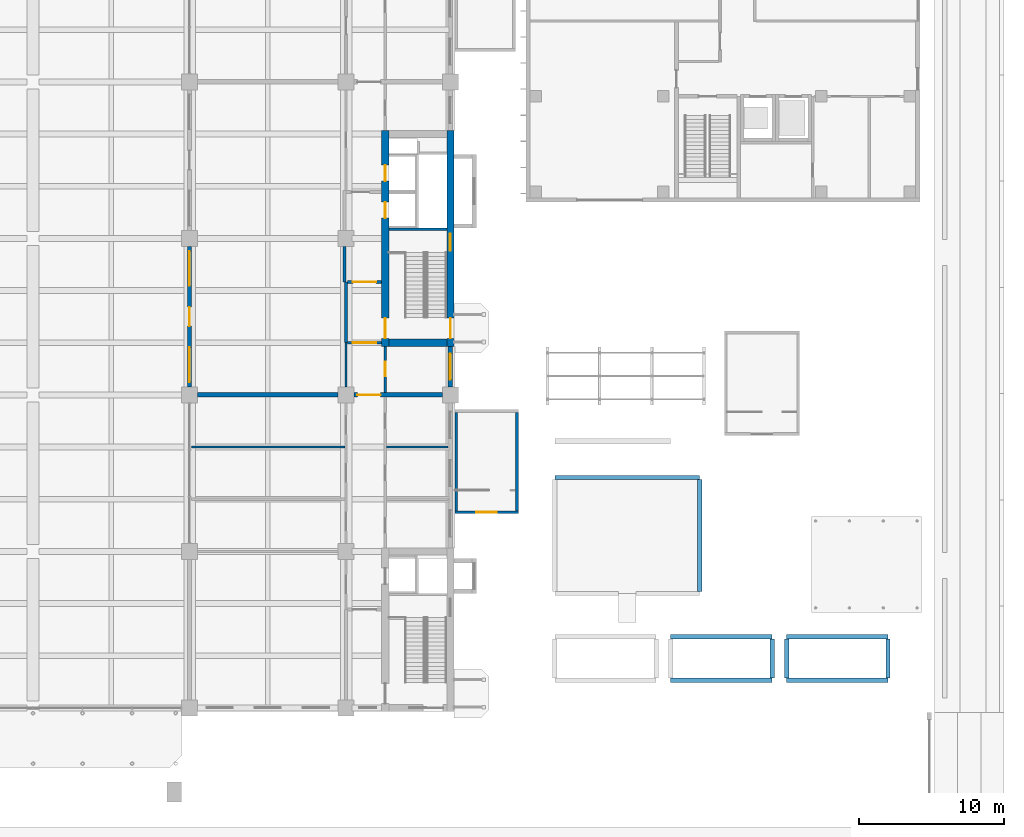
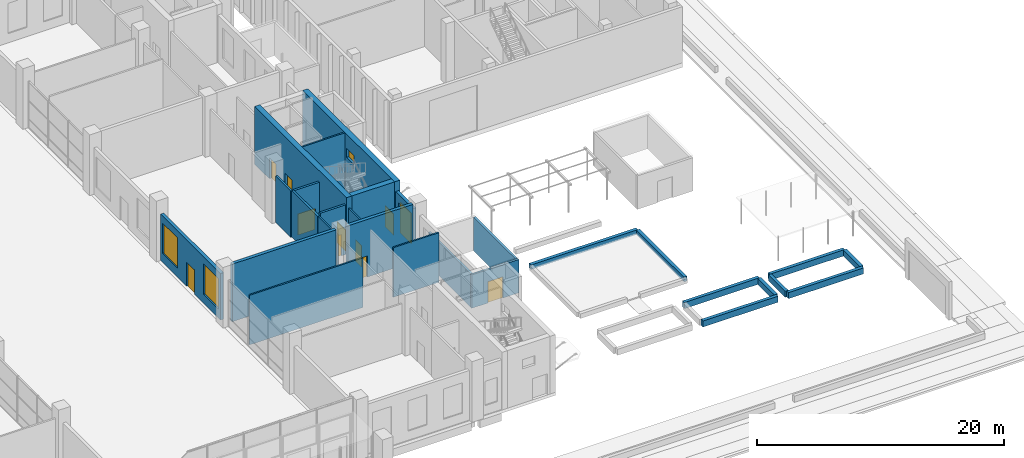
# One storey, part 52 of 71: 28 walls, 10 doors, 4 windows, 14 openings.
"""IFC4 building model written with IfcOpenShell, lengths in metres."""

import ifcopenshell
import ifcopenshell.guid

model = None  # the IFC model being written
_history = None  # IfcOwnerHistory: only IFC2X3 demands one
_inside = {}  # id of a spatial element -> (the spatial element, [elements in it])
_under = {}  # id of a project, library or spatial element -> (it, [spatial elements below it])
_declared = {}  # id of a project -> (the project, [libraries it declares])
_typed = {}  # id of a type object -> (the type object, [elements of that type])
_made_of = {}  # id of a material, layer set ... -> (it, [elements and type objects made of it])


def new_model(schema):
    """Start an empty IFC model of exactly this schema.

    Asked for "IFC4X3", IfcOpenShell would pick the latest addendum, in which some entities
    have other attributes; the version numbers below select the first issue.
    IFC2X3 requires an IfcOwnerHistory on every rooted entity: one is made here for all.
    """
    global model, _history
    if schema == "IFC4X3":
        model = ifcopenshell.file(schema_version=(4, 3, 0, 0))
    else:
        model = ifcopenshell.file(schema=schema)
    _inside.clear()
    _under.clear()
    _declared.clear()
    _typed.clear()
    _made_of.clear()
    _history = None
    if model.schema == "IFC2X3":
        org = make("IfcOrganization", Name="unknown")
        user = make(
            "IfcPersonAndOrganization",
            ThePerson=make("IfcPerson", FamilyName="unknown"),
            TheOrganization=org,
        )
        app = make(
            "IfcApplication",
            ApplicationDeveloper=org,
            Version="unknown",
            ApplicationFullName="unknown",
            ApplicationIdentifier="unknown",
        )
        _history = make(
            "IfcOwnerHistory",
            OwningUser=user,
            OwningApplication=app,
            ChangeAction="ADDED",
            CreationDate=0,
        )
    return model


def make(cls, **values):
    """One entity of the class cls with the attributes given. An attribute that is None is left unset."""
    return model.create_entity(
        cls, **{name: value for name, value in values.items() if value is not None}
    )


def rooted(cls, **values):
    """An entity with a GlobalId (a new one), such as an element, a storey or a relation."""
    return make(cls, GlobalId=ifcopenshell.guid.new(), OwnerHistory=_history, **values)


def si_unit(unit_type, name, prefix=None):
    """IfcSIUnit, for example si_unit("LENGTHUNIT", "METRE", prefix="MILLI")."""
    return make("IfcSIUnit", UnitType=unit_type, Prefix=prefix, Name=name)


def assignment(units):
    """IfcUnitAssignment: the units of a project."""
    return None if units is None else make("IfcUnitAssignment", Units=units)


def point(xyz):
    """IfcCartesianPoint."""
    return None if xyz is None else make("IfcCartesianPoint", Coordinates=xyz)


def direction(xyz):
    """IfcDirection."""
    return None if xyz is None else make("IfcDirection", DirectionRatios=xyz)


def frame(location, z_axis=None, x_axis=None):
    """IfcAxis2Placement3D, a coordinate frame: its origin and axes. An axis left out is left unset."""
    return make(
        "IfcAxis2Placement3D",
        Location=point(location),
        Axis=direction(z_axis),
        RefDirection=direction(x_axis),
    )


def frame_2d(location, x_axis=None):
    """IfcAxis2Placement2D, a coordinate frame in the plane: its origin and x axis."""
    return make(
        "IfcAxis2Placement2D", Location=point(location), RefDirection=direction(x_axis)
    )


def origin():
    """The frame at (0, 0, 0) with its axes left unset."""
    return frame((0.0, 0.0, 0.0))


def place(relative_to, where):
    """IfcLocalPlacement: puts the frame where relative to a parent placement (None: the world)."""
    return make(
        "IfcLocalPlacement", PlacementRelTo=relative_to, RelativePlacement=where
    )


def context(
    kind, dimensions, precision=None, world=None, true_north=None, identifier=None
):
    """IfcGeometricRepresentationContext, for example the 3D "Model" context."""
    return make(
        "IfcGeometricRepresentationContext",
        ContextIdentifier=identifier,
        ContextType=kind,
        CoordinateSpaceDimension=dimensions,
        Precision=precision,
        WorldCoordinateSystem=world,
        TrueNorth=true_north,
    )


def subcontext(parent, identifier, kind, view, scale=None):
    """IfcGeometricRepresentationSubContext, for example "Body" below "Model"."""
    return make(
        "IfcGeometricRepresentationSubContext",
        ContextIdentifier=identifier,
        ContextType=kind,
        ParentContext=parent,
        TargetScale=scale,
        TargetView=view,
    )


def project(units=None, contexts=None):
    """IfcProject with its units and contexts."""
    return rooted(
        "IfcProject",
        Name="project",
        RepresentationContexts=contexts,
        UnitsInContext=assignment(units),
    )


def spatial(cls, under=None, at=None, **own):
    """A site, building, storey or space (cls), placed at a placement, below another one or the project."""
    s = rooted(cls, ObjectPlacement=at, **own)
    if under is not None:
        _under.setdefault(under.id(), (under, []))[1].append(s)
    return s


def profile(cls, at=None, kind="AREA", **sizes):
    """A parametric profile (cls). Its sizes go by their IFC names, for example OverallWidth=200.0."""
    return make(cls, ProfileType=kind, Position=at, **sizes)


def rectangle(**sizes):
    """IfcRectangleProfileDef."""
    return profile("IfcRectangleProfileDef", **sizes)


def extrude(swept, where, along, depth):
    """IfcExtrudedAreaSolid: the profile swept, set in the frame where, extruded along a direction by depth."""
    return make(
        "IfcExtrudedAreaSolid",
        SweptArea=swept,
        Position=where,
        ExtrudedDirection=direction(along),
        Depth=depth,
    )


def shape(context_of_items, identifier, shape_type, items):
    """IfcShapeRepresentation: the items that make up one representation, for example the "Body"."""
    return make(
        "IfcShapeRepresentation",
        ContextOfItems=context_of_items,
        RepresentationIdentifier=identifier,
        RepresentationType=shape_type,
        Items=items,
    )


def material(Name=None, Category=None):
    """IfcMaterial."""
    return make("IfcMaterial", Name=Name, Category=Category)


def layer(
    of_material, thickness, ventilated=None, Name=None, Category=None, Priority=None
):
    """IfcMaterialLayer: one layer of a wall or slab, of a material (None: an air gap)."""
    return make(
        "IfcMaterialLayer",
        Material=of_material,
        LayerThickness=thickness,
        IsVentilated=ventilated,
        Name=Name,
        Category=Category,
        Priority=Priority,
    )


def layer_set(layers, Name=None):
    """IfcMaterialLayerSet."""
    return make("IfcMaterialLayerSet", MaterialLayers=layers, LayerSetName=Name)


def made_of(thing, what):
    """Note that an element or type object is made of a material, layer set ...; save() writes the relation."""
    if what is not None:
        _made_of.setdefault(what.id(), (what, []))[1].append(thing)
    return thing


def type_object(cls, material=None, **own):
    """A type object (cls), such as IfcWallType, which elements share."""
    return made_of(rooted(cls, **own), material)


def element(
    cls,
    number,
    at=None,
    inside=None,
    cuts=None,
    type_object=None,
    material=None,
    context=None,
    identifier="Body",
    shape_type=None,
    held_by="IfcProductDefinitionShape",
    body=None,
    shapes=None,
    **own,
):
    """One element of the class cls, such as IfcWall. Its Tag is "e" and its number.

    at: its placement. inside: the storey or other place that contains it. cuts: it is an
    opening in that element (IfcRelVoidsElement). A single representation is given by context,
    identifier, shape_type and body (its items); several are given by shapes. held_by: the class
    of the entity that holds the representations. save() writes the other relations.
    """
    e = rooted(cls, Tag="e%d" % number, ObjectPlacement=at, **own)
    if body is not None:
        shapes = [shape(context, identifier, shape_type, body)]
    if shapes is not None:
        e.Representation = make(held_by, Representations=shapes)
    if inside is not None:
        _inside.setdefault(inside.id(), (inside, []))[1].append(e)
    if cuts is not None:
        rooted(
            "IfcRelVoidsElement", RelatingBuildingElement=cuts, RelatedOpeningElement=e
        )
    if type_object is not None:
        _typed.setdefault(type_object.id(), (type_object, []))[1].append(e)
    return made_of(e, material)


def fill(opening, filler):
    """IfcRelFillsElement: the door or window that sits in an opening."""
    return rooted(
        "IfcRelFillsElement",
        RelatingOpeningElement=opening,
        RelatedBuildingElement=filler,
    )


def aggregate(whole, parts):
    """IfcRelAggregates: a whole, such as a stair, and the parts it consists of."""
    return rooted("IfcRelAggregates", RelatingObject=whole, RelatedObjects=parts)


def save(model, path):
    """Write the relations noted so far, then the file.

    IfcRelAggregates (storeys below a building ...), IfcRelContainedInSpatialStructure (elements
    in a storey), IfcRelDefinesByType, IfcRelAssociatesMaterial and IfcRelDeclares: one each for
    every whole, place, type object, material and project.
    """
    for whole, parts in _under.values():
        aggregate(whole, parts)
    for where, things in _inside.values():
        rooted(
            "IfcRelContainedInSpatialStructure",
            RelatedElements=things,
            RelatingStructure=where,
        )
    for kind, things in _typed.values():
        rooted("IfcRelDefinesByType", RelatedObjects=things, RelatingType=kind)
    for what, things in _made_of.values():
        rooted("IfcRelAssociatesMaterial", RelatedObjects=things, RelatingMaterial=what)
    for by, libraries in _declared.values():
        rooted("IfcRelDeclares", RelatingContext=by, RelatedDefinitions=libraries)
    model.write(path)


model = new_model("IFC4")

# Units and contexts
model_context = context("Model", 3, precision=1e-05, world=origin(), true_north=direction((0.0, 1.0)))
body_context = subcontext(model_context, "Body", "Model", "MODEL_VIEW")
ifc_project = project(units=[si_unit("LENGTHUNIT", "METRE"), si_unit("AREAUNIT", "SQUARE_METRE"), si_unit("VOLUMEUNIT", "CUBIC_METRE"), si_unit("PLANEANGLEUNIT", "RADIAN"), si_unit("MASSUNIT", "GRAM", prefix="KILO")], contexts=[model_context])

# Site, building, storey
site_placement = place(None, origin())
site = spatial("IfcSite", under=ifc_project, at=site_placement, CompositionType="ELEMENT")
building_placement = place(site_placement, origin())
building = spatial("IfcBuilding", under=site, at=building_placement, Name="Basin Gate Institute", CompositionType="ELEMENT")
storey_placement = place(building_placement, origin())
storey = spatial("IfcBuildingStorey", under=building, at=storey_placement, Name="L00", CompositionType="ELEMENT", Elevation=0.0)

# Wall, openings, door, windows
ifc_material_1 = material(Name="Fire-resisting board wall assembly")
ifc_layer_1 = layer(ifc_material_1, 0.300048828125)
ifc_layer_set_1 = layer_set([ifc_layer_1], Name="Atrium enclosure wall EW4")
wall_type_1 = type_object("IfcWallType", Name="Atrium enclosure wall EW4", PredefinedType="STANDARD", material=ifc_layer_set_1)
wall_1_placement = place(storey_placement, frame((100.800048828125, 57.25, 0.0), z_axis=(0.0, 0.0, 1.0), x_axis=(0.0, 1.0, 0.0)))
wall_1 = element("IfcWall", 1, at=wall_1_placement, inside=storey, type_object=wall_type_1, material=ifc_layer_set_1, Name="Atrium enclosure wall E wing bay 3 L00", PredefinedType="STANDARD", context=body_context, shape_type="SweptSolid", body=[
    extrude(rectangle(XDim=9.699951171875, YDim=0.300048828125, at=frame_2d((4.85009765625, 0.0))), origin(), (0.0, 0.0, 1.0), 4.60009765625),
])
opening_1_placement = place(wall_1_placement, frame((0.324951171875, 0.0, 0.89990234375)))
opening_1 = element("IfcOpeningElement", 2, at=opening_1_placement, cuts=wall_1, Name="Opening WN5", PredefinedType="OPENING", context=body_context, shape_type="SweptSolid", body=[
    extrude(rectangle(XDim=2.39990234375, YDim=3.0, at=frame_2d((1.199951171875, 1.5))), frame((0.0, 0.16015625, 0.0), z_axis=(0.0, -1.0, 0.0), x_axis=(1.0, 0.0, 0.0)), (0.0, 0.0, 1.0), 0.320068359375),
])
opening_2_placement = place(wall_1_placement, frame((6.97509765625, 0.0, 0.89990234375)))
opening_2 = element("IfcOpeningElement", 3, at=opening_2_placement, cuts=wall_1, Name="Opening WN5", PredefinedType="OPENING", context=body_context, shape_type="SweptSolid", body=[
    extrude(rectangle(XDim=2.39990234375, YDim=3.0, at=frame_2d((1.199951171875, 1.5))), frame((0.0, 0.16015625, 0.0), z_axis=(0.0, -1.0, 0.0), x_axis=(1.0, 0.0, 0.0)), (0.0, 0.0, 1.0), 0.320068359375),
])
opening_3_placement = place(wall_1_placement, frame((4.199951171875, 0.0, 0.0)))
opening_3 = element("IfcOpeningElement", 4, at=opening_3_placement, cuts=wall_1, Name="Opening ED103", PredefinedType="OPENING", context=body_context, shape_type="SweptSolid", body=[
    extrude(rectangle(XDim=1.300048828125, YDim=2.39990234375, at=frame_2d((0.64990234375, 1.199951171875))), frame((0.0, 0.16015625, 0.0), z_axis=(0.0, -1.0, 0.0), x_axis=(1.0, 0.0, 0.0)), (0.0, 0.0, 1.0), 0.320068359375),
])
ifc_material_2 = material(Name="Fire-resisting glazed door in aluminium frame", Category="aluminium")
door_type_1 = type_object("IfcDoorType", Name="Atrium fire door FD60A", OperationType="NOTDEFINED", PredefinedType="DOOR", material=ifc_material_2)
door_1_placement = place(opening_3_placement, frame((1.300048828125, 0.0, 0.0), z_axis=(0.0, 0.0, 1.0), x_axis=(-1.0, 0.0, 0.0)))
door_1 = element("IfcDoor", 5, at=door_1_placement, inside=storey, type_object=door_type_1, material=ifc_material_2, Name="Atrium fire door E wing bay 3", OperationType="SINGLE_SWING_RIGHT", OverallHeight=2.39990234375, OverallWidth=1.300048828125, PredefinedType="DOOR", context=body_context, shape_type="SweptSolid", body=[
    extrude(rectangle(XDim=1.300048828125, YDim=2.39990234375, at=frame_2d((0.64990234375, 1.199951171875))), frame((0.0, 0.02490234375, 0.0), z_axis=(0.0, -1.0, 0.0), x_axis=(1.0, 0.0, 0.0)), (0.0, 0.0, 1.0), 0.050048828125),
])
fill(opening_3, door_1)
ifc_material_3 = material(Name="Fire-resistant glazing in steel-free frame", Category="steel")
window_type_1 = type_object("IfcWindowType", Name="Fire-rated fixed window WN5", PartitioningType="SINGLE_PANEL", PredefinedType="WINDOW", material=ifc_material_3)
window_1_placement = place(opening_1_placement, origin())
window_1 = element("IfcWindow", 6, at=window_1_placement, inside=storey, type_object=window_type_1, material=ifc_material_3, Name="Fire-rated fixed window E wing bay 3 L00", OverallHeight=3.0, OverallWidth=2.39990234375, PartitioningType="SINGLE_PANEL", PredefinedType="WINDOW", context=body_context, shape_type="SweptSolid", body=[
    extrude(rectangle(XDim=2.39990234375, YDim=3.0, at=frame_2d((1.199951171875, 1.5))), frame((0.0, 0.030029296875, 0.0), z_axis=(0.0, -1.0, 0.0), x_axis=(1.0, 0.0, 0.0)), (0.0, 0.0, 1.0), 0.06005859375),
])
fill(opening_1, window_1)
window_2_placement = place(opening_2_placement, origin())
window_2 = element("IfcWindow", 7, at=window_2_placement, inside=storey, type_object=window_type_1, material=ifc_material_3, Name="Fire-rated fixed window E wing bay 3 L00", OverallHeight=3.0, OverallWidth=2.39990234375, PartitioningType="SINGLE_PANEL", PredefinedType="WINDOW", context=body_context, shape_type="SweptSolid", body=[
    extrude(rectangle(XDim=2.39990234375, YDim=3.0, at=frame_2d((1.199951171875, 1.5))), frame((0.0, 0.030029296875, 0.0), z_axis=(0.0, -1.0, 0.0), x_axis=(1.0, 0.0, 0.0)), (0.0, 0.0, 1.0), 0.06005859375),
])
fill(opening_2, window_2)

# Wall, opening, door
ifc_material_4 = material(Name="Fire-rated masonry", Category="masonry")
ifc_layer_2 = layer(ifc_material_4, 0.199951171875)
ifc_layer_set_2 = layer_set([ifc_layer_2], Name="Enclosure wall PW2 200 EI 60")
wall_type_2 = type_object("IfcWallType", Name="Enclosure wall PW2 200 EI 60", PredefinedType="PARTITIONING", material=ifc_layer_set_2)
wall_2_placement = place(storey_placement, frame((114.050048828125, 60.300048828125, 0.0), z_axis=(0.0, 0.0, 1.0), x_axis=(-1.0, 0.0, 0.0)))
wall_2 = element("IfcWall", 8, at=wall_2_placement, inside=storey, type_object=wall_type_2, material=ifc_layer_set_2, Name="Smoke lobby enclosure wall PW2 L00", PredefinedType="PARTITIONING", context=body_context, shape_type="SweptSolid", body=[
    extrude(rectangle(XDim=2.35009765625, YDim=0.199951171875, at=frame_2d((1.175048828125, 0.0))), origin(), (0.0, 0.0, 1.0), 4.89990234375),
])
opening_4_placement = place(wall_2_placement, frame((0.375, 0.0, 0.0)))
opening_4 = element("IfcOpeningElement", 9, at=opening_4_placement, cuts=wall_2, Name="Opening DR017", PredefinedType="OPENING", context=body_context, shape_type="SweptSolid", body=[
    extrude(rectangle(XDim=1.60009765625, YDim=2.10009765625, at=frame_2d((0.800048828125, 1.050048828125))), frame((0.0, 0.10986328125, 0.0), z_axis=(0.0, -1.0, 0.0), x_axis=(1.0, 0.0, 0.0)), (0.0, 0.0, 1.0), 0.219970703125),
])
ifc_material_5 = material(Name="Steel fire door", Category="steel")
door_type_2 = type_object("IfcDoorType", Name="FD60 Smoke lobby door pair D8", OperationType="DOUBLE_DOOR_SINGLE_SWING", PredefinedType="DOOR", material=ifc_material_5)
door_2_placement = place(opening_4_placement, frame((1.60009765625, 0.0, 0.0), z_axis=(0.0, 0.0, 1.0), x_axis=(-1.0, 0.0, 0.0)))
door_2 = element("IfcDoor", 10, at=door_2_placement, inside=storey, type_object=door_type_2, material=ifc_material_5, Name="Smoke lobby door SS5 L00", OperationType="DOUBLE_DOOR_SINGLE_SWING", OverallHeight=2.10009765625, OverallWidth=1.60009765625, PredefinedType="DOOR", context=body_context, shape_type="SweptSolid", body=[
    extrude(rectangle(XDim=1.60009765625, YDim=2.10009765625, at=frame_2d((0.800048828125, 1.050048828125))), frame((0.0, 0.02490234375, 0.0), z_axis=(0.0, -1.0, 0.0), x_axis=(1.0, 0.0, 0.0)), (0.0, 0.0, 1.0), 0.050048828125),
])
fill(opening_4, door_2)

wall_3_placement = place(storey_placement, frame((114.050048828125, 64.5, 0.0), z_axis=(0.0, 0.0, 1.0), x_axis=(-1.0, 0.0, 0.0)))
wall_3 = element("IfcWall", 11, at=wall_3_placement, inside=storey, type_object=wall_type_2, material=ifc_layer_set_2, Name="Smoke lobby enclosure wall PW2 L00", PredefinedType="PARTITIONING", context=body_context, shape_type="SweptSolid", body=[
    extrude(rectangle(XDim=2.35009765625, YDim=0.199951171875, at=frame_2d((1.175048828125, 0.0))), origin(), (0.0, 0.0, 1.0), 4.60009765625),
])
opening_5_placement = place(wall_3_placement, frame((0.375, 0.0, 0.0)))
opening_5 = element("IfcOpeningElement", 12, at=opening_5_placement, cuts=wall_3, Name="Opening DR018", PredefinedType="OPENING", context=body_context, shape_type="SweptSolid", body=[
    extrude(rectangle(XDim=1.60009765625, YDim=2.10009765625, at=frame_2d((0.800048828125, 1.050048828125))), frame((0.0, 0.10986328125, 0.0), z_axis=(0.0, -1.0, 0.0), x_axis=(1.0, 0.0, 0.0)), (0.0, 0.0, 1.0), 0.219970703125),
])
door_3_placement = place(opening_5_placement, origin())
door_3 = element("IfcDoor", 13, at=door_3_placement, inside=storey, type_object=door_type_2, material=ifc_material_5, Name="Smoke lobby door SS5 L00", OperationType="DOUBLE_DOOR_SINGLE_SWING", OverallHeight=2.10009765625, OverallWidth=1.60009765625, PredefinedType="DOOR", context=body_context, shape_type="SweptSolid", body=[
    extrude(rectangle(XDim=1.60009765625, YDim=2.10009765625, at=frame_2d((0.800048828125, 1.050048828125))), frame((0.0, 0.02490234375, 0.0), z_axis=(0.0, -1.0, 0.0), x_axis=(1.0, 0.0, 0.0)), (0.0, 0.0, 1.0), 0.050048828125),
])
fill(opening_5, door_3)

# Walls
wall_4_placement = place(storey_placement, frame((111.60009765625, 60.300048828125, 0.0), z_axis=(0.0, 0.0, 1.0), x_axis=(0.0, 1.0, 0.0)))
element("IfcWall", 14, at=wall_4_placement, inside=storey, type_object=wall_type_2, material=ifc_layer_set_2, Name="Smoke lobby enclosure wall PW2 L00", PredefinedType="PARTITIONING", context=body_context, shape_type="SweptSolid", body=[
    extrude(rectangle(XDim=4.199951171875, YDim=0.199951171875, at=frame_2d((2.10009765625, 0.0))), origin(), (0.0, 0.0, 1.0), 4.60009765625),
])
wall_5_placement = place(storey_placement, frame((111.5, 64.5, 0.0), z_axis=(0.0, 0.0, 1.0), x_axis=(0.0, 1.0, 0.0)))
element("IfcWall", 15, at=wall_5_placement, inside=storey, type_object=wall_type_2, material=ifc_layer_set_2, Name="Emergency lift lobby wall PW2 L00", PredefinedType="PARTITIONING", context=body_context, shape_type="SweptSolid", body=[
    extrude(rectangle(XDim=2.449951171875, YDim=0.199951171875, at=frame_2d((1.22509765625, 0.0))), origin(), (0.0, 0.0, 1.0), 4.60009765625),
])

# Wall, opening, window
ifc_material_6 = material(Name="Aluminium-faced insulated panel wall", Category="aluminium")
ifc_layer_3 = layer(ifc_material_6, 0.300048828125)
ifc_layer_set_3 = layer_set([ifc_layer_3], Name="External wall EW1 EI 120")
wall_type_3 = type_object("IfcWallType", Name="External wall EW1 EI 120", PredefinedType="STANDARD", material=ifc_layer_set_3)
wall_6_placement = place(storey_placement, frame((118.800048828125, 57.25, 0.0), z_axis=(0.0, 0.0, 1.0), x_axis=(0.0, 1.0, 0.0)))
wall_6 = element("IfcWall", 16, at=wall_6_placement, inside=storey, type_object=wall_type_3, material=ifc_layer_set_3, Name="External wall E facade L00 2", PredefinedType="STANDARD", context=body_context, shape_type="SweptSolid", body=[
    extrude(rectangle(XDim=2.800048828125, YDim=0.300048828125, at=frame_2d((1.39990234375, 0.0))), origin(), (0.0, 0.0, 1.0), 4.699951171875),
])
opening_6_placement = place(wall_6_placement, frame((0.5, 0.0, 0.89990234375)))
opening_6 = element("IfcOpeningElement", 17, at=opening_6_placement, cuts=wall_6, Name="Opening WN2", PredefinedType="OPENING", context=body_context, shape_type="SweptSolid", body=[
    extrude(rectangle(XDim=1.800048828125, YDim=3.0, at=frame_2d((0.89990234375, 1.5))), frame((0.0, 0.16015625, 0.0), z_axis=(0.0, -1.0, 0.0), x_axis=(1.0, 0.0, 0.0)), (0.0, 0.0, 1.0), 0.320068359375),
])
ifc_material_7 = material(Name="Aluminium-framed double glazing", Category="aluminium")
window_type_2 = type_object("IfcWindowType", Name="Podium window WN2", PartitioningType="SINGLE_PANEL", PredefinedType="WINDOW", material=ifc_material_7)
window_3_placement = place(opening_6_placement, origin())
window_3 = element("IfcWindow", 18, at=window_3_placement, inside=storey, type_object=window_type_2, material=ifc_material_7, Name="Podium window E facade L00 bay 7", OverallHeight=3.0, OverallWidth=1.800048828125, PartitioningType="SINGLE_PANEL", PredefinedType="WINDOW", context=body_context, shape_type="SweptSolid", body=[
    extrude(rectangle(XDim=1.800048828125, YDim=3.0, at=frame_2d((0.89990234375, 1.5))), frame((0.0, 0.030029296875, 0.0), z_axis=(0.0, -1.0, 0.0), x_axis=(1.0, 0.0, 0.0)), (0.0, 0.0, 1.0), 0.06005859375),
])
fill(opening_6, window_3)

# Wall, opening, door
ifc_material_8 = material(Name="Gypsum board on steel stud", Category="steel")
ifc_layer_4 = layer(ifc_material_8, 0.14990234375)
ifc_layer_set_4 = layer_set([ifc_layer_4], Name="Gypsum board on steel stud")
wall_type_4 = type_object("IfcWallType", Name="Partition PW1 150 EI 60", PredefinedType="PARTITIONING", material=ifc_layer_set_4)
wall_7_placement = place(storey_placement, frame((114.300048828125, 56.85009765625, 0.0), z_axis=(0.0, 0.0, 1.0), x_axis=(0.0, 1.0, 0.0)))
wall_7 = element("IfcWall", 19, at=wall_7_placement, inside=storey, type_object=wall_type_4, material=ifc_layer_set_4, Name="Corridor wall PW1 L00", PredefinedType="PARTITIONING", context=body_context, shape_type="SweptSolid", body=[
    extrude(rectangle(XDim=3.199951171875, YDim=0.14990234375, at=frame_2d((1.60009765625, 0.0))), origin(), (0.0, 0.0, 1.0), 4.60009765625),
])
opening_7_placement = place(wall_7_placement, frame((1.14990234375, 0.0, 0.0)))
opening_7 = element("IfcOpeningElement", 20, at=opening_7_placement, cuts=wall_7, Name="Opening DR014", PredefinedType="OPENING", context=body_context, shape_type="SweptSolid", body=[
    extrude(rectangle(XDim=1.0, YDim=2.10009765625, at=frame_2d((0.5, 1.050048828125))), frame((0.0, 0.0849609375, 0.0), z_axis=(0.0, -1.0, 0.0), x_axis=(1.0, 0.0, 0.0)), (0.0, 0.0, 1.0), 0.169921875),
])
ifc_material_9 = material(Name="Timber fire door", Category="wood")
door_type_3 = type_object("IfcDoorType", Name="FD30 Office door D1", OperationType="NOTDEFINED", PredefinedType="DOOR", material=ifc_material_9)
door_4_placement = place(opening_7_placement, frame((1.0, 0.0, 0.0), z_axis=(0.0, 0.0, 1.0), x_axis=(-1.0, 0.0, 0.0)))
door_4 = element("IfcDoor", 21, at=door_4_placement, inside=storey, type_object=door_type_3, material=ifc_material_9, Name="Door to Write-up Office 0054 L00", OperationType="SINGLE_SWING_LEFT", OverallHeight=2.10009765625, OverallWidth=1.0, PredefinedType="DOOR", context=body_context, shape_type="SweptSolid", body=[
    extrude(rectangle(XDim=1.0, YDim=2.10009765625, at=frame_2d((0.5, 1.050048828125))), frame((0.0, 0.02490234375, 0.0), z_axis=(0.0, -1.0, 0.0), x_axis=(1.0, 0.0, 0.0)), (0.0, 0.0, 1.0), 0.050048828125),
])
fill(opening_7, door_4)

# Walls
wall_8_placement = place(storey_placement, frame((111.60009765625, 57.25, 0.0), z_axis=(0.0, 0.0, 1.0), x_axis=(0.0, 1.0, 0.0)))
element("IfcWall", 22, at=wall_8_placement, inside=storey, type_object=wall_type_4, material=ifc_layer_set_4, Name="Laboratory corridor wall PW1 L00", PredefinedType="PARTITIONING", context=body_context, shape_type="SweptSolid", body=[
    extrude(rectangle(XDim=3.050048828125, YDim=0.14990234375, at=frame_2d((1.52490234375, 0.0))), origin(), (0.0, 0.0, 1.0), 4.60009765625),
])
wall_9_placement = place(storey_placement, frame((111.52490234375, 53.10009765625, 0.0), z_axis=(0.0, 0.0, 1.0), x_axis=(-1.0, 0.0, 0.0)))
element("IfcWall", 23, at=wall_9_placement, inside=storey, type_object=wall_type_4, material=ifc_layer_set_4, Name="Laboratory partition PW1 L00", PredefinedType="PARTITIONING", context=body_context, shape_type="SweptSolid", body=[
    extrude(rectangle(XDim=10.574951171875, YDim=0.14990234375, at=frame_2d((5.28759765625, 0.0))), origin(), (0.0, 0.0, 1.0), 4.89990234375),
])
ifc_material_10 = material(Name="Gypsum board on steel stud", Category="steel")
ifc_layer_5 = layer(ifc_material_10, 0.14990234375)
ifc_layer_set_5 = layer_set([ifc_layer_5], Name="Gypsum board on steel stud")
wall_type_5 = type_object("IfcWallType", Name="Partition PW4 150", PredefinedType="PARTITIONING", material=ifc_layer_set_5)
wall_10_placement = place(storey_placement, frame((118.64990234375, 53.10009765625, 0.0), z_axis=(0.0, 0.0, 1.0), x_axis=(-1.0, 0.0, 0.0)))
element("IfcWall", 24, at=wall_10_placement, inside=storey, type_object=wall_type_5, material=ifc_layer_set_5, Name="Toilet partition PW4 L00", PredefinedType="PARTITIONING", context=body_context, shape_type="SweptSolid", body=[
    extrude(rectangle(XDim=4.27490234375, YDim=0.14990234375, at=frame_2d((2.137451171875, 0.0))), origin(), (0.0, 0.0, 1.0), 4.89990234375),
])
ifc_material_11 = material(Name="Concrete 35 MPa", Category="concrete")
ifc_layer_6 = layer(ifc_material_11, 0.300048828125)
ifc_layer_set_6 = layer_set([ifc_layer_6], Name="Concrete 35 MPa")
wall_type_6 = type_object("IfcWallType", Name="Planter bed wall PL3", PredefinedType="SOLIDWALL", material=ifc_layer_set_6)
for number, where, z_axis, x_axis, name in (
    (25, (134.0, 37.0, 0.0), (0.0, 0.0, 1.0), (1.0, 0.0, 0.0), "Service Court planter bed 2 wall (soil 550 mm) S"),
    (26, (134.0, 40.0, 0.0), (0.0, 0.0, 1.0), (1.0, 0.0, 0.0), "Service Court planter bed 2 wall (soil 550 mm) N"),
):
    element("IfcWall", number, at=place(storey_placement, frame(where, z_axis=z_axis, x_axis=x_axis)), inside=storey, type_object=wall_type_6, material=ifc_layer_set_6, Name=name, PredefinedType="SOLIDWALL", context=body_context, shape_type="SweptSolid", body=[
        extrude(rectangle(XDim=7.0, YDim=0.300048828125, at=frame_2d((3.5, 0.0))), origin(), (0.0, 0.0, 1.0), 0.60009765625),
    ])
wall_11_placement = place(storey_placement, frame((141.0, 37.14990234375, 0.0), z_axis=(0.0, 0.0, 1.0), x_axis=(0.0, 1.0, 0.0)))
element("IfcWall", 27, at=wall_11_placement, inside=storey, type_object=wall_type_6, material=ifc_layer_set_6, Name="Service Court planter bed 2 wall (soil 550 mm) E", PredefinedType="SOLIDWALL", context=body_context, shape_type="SweptSolid", body=[
    extrude(rectangle(XDim=2.7001953125, YDim=0.300048828125, at=frame_2d((1.35009765625, 0.0))), origin(), (0.0, 0.0, 1.0), 0.60009765625),
])
for number, where, z_axis, x_axis, name in (
    (28, (142.0, 37.0, 0.0), (0.0, 0.0, 1.0), (1.0, 0.0, 0.0), "Service Court planter bed 3 wall (soil 550 mm) S"),
    (29, (142.0, 40.0, 0.0), (0.0, 0.0, 1.0), (1.0, 0.0, 0.0), "Service Court planter bed 3 wall (soil 550 mm) N"),
):
    element("IfcWall", number, at=place(storey_placement, frame(where, z_axis=z_axis, x_axis=x_axis)), inside=storey, type_object=wall_type_6, material=ifc_layer_set_6, Name=name, PredefinedType="SOLIDWALL", context=body_context, shape_type="SweptSolid", body=[
        extrude(rectangle(XDim=7.0, YDim=0.300048828125, at=frame_2d((3.5, 0.0))), origin(), (0.0, 0.0, 1.0), 0.60009765625),
    ])
for number, where, z_axis, x_axis, name in (
    (30, (142.0, 37.14990234375, 0.0), (0.0, 0.0, 1.0), (0.0, 1.0, 0.0), "Service Court planter bed 3 wall (soil 550 mm) W"),
    (31, (149.0, 37.14990234375, 0.0), (0.0, 0.0, 1.0), (0.0, 1.0, 0.0), "Service Court planter bed 3 wall (soil 550 mm) E"),
):
    element("IfcWall", number, at=place(storey_placement, frame(where, z_axis=z_axis, x_axis=x_axis)), inside=storey, type_object=wall_type_6, material=ifc_layer_set_6, Name=name, PredefinedType="SOLIDWALL", context=body_context, shape_type="SweptSolid", body=[
        extrude(rectangle(XDim=2.7001953125, YDim=0.300048828125, at=frame_2d((1.35009765625, 0.0))), origin(), (0.0, 0.0, 1.0), 0.60009765625),
    ])
ifc_material_12 = material(Name="Concrete 35 MPa", Category="concrete")
ifc_layer_7 = layer(ifc_material_12, 0.300048828125)
ifc_layer_set_7 = layer_set([ifc_layer_7], Name="Concrete 35 MPa")
wall_type_7 = type_object("IfcWallType", Name="Rain garden wall RG1", PredefinedType="SOLIDWALL", material=ifc_layer_set_7)
wall_12_placement = place(storey_placement, frame((126.0, 51.0, 0.0), z_axis=(0.0, 0.0, 1.0), x_axis=(1.0, 0.0, 0.0)))
element("IfcWall", 32, at=wall_12_placement, inside=storey, type_object=wall_type_7, material=ifc_layer_set_7, Name="Service Court rain garden 1 wall N", PredefinedType="SOLIDWALL", context=body_context, shape_type="SweptSolid", body=[
    extrude(rectangle(XDim=10.0, YDim=0.300048828125, at=frame_2d((5.0, 0.0))), origin(), (0.0, 0.0, 1.0), 0.449951171875),
])
wall_13_placement = place(storey_placement, frame((136.0, 43.14990234375, 0.0), z_axis=(0.0, 0.0, 1.0), x_axis=(0.0, 1.0, 0.0)))
element("IfcWall", 33, at=wall_13_placement, inside=storey, type_object=wall_type_7, material=ifc_layer_set_7, Name="Service Court rain garden 1 wall E", PredefinedType="SOLIDWALL", context=body_context, shape_type="SweptSolid", body=[
    extrude(rectangle(XDim=7.7001953125, YDim=0.300048828125, at=frame_2d((3.85009765625, 0.0))), origin(), (0.0, 0.0, 1.0), 0.449951171875),
])

# Wall, opening, door
ifc_material_13 = material(Name="Concrete 35 MPa", Category="concrete")
ifc_layer_8 = layer(ifc_material_13, 0.199951171875)
ifc_layer_set_8 = layer_set([ifc_layer_8], Name="Concrete 35 MPa")
wall_type_8 = type_object("IfcWallType", Name="Stair head house wall 200", PredefinedType="SOLIDWALL", material=ifc_layer_set_8)
wall_14_placement = place(storey_placement, frame((119.10009765625, 48.60009765625, 0.0), z_axis=(0.0, 0.0, 1.0), x_axis=(1.0, 0.0, 0.0)))
wall_14 = element("IfcWall", 34, at=wall_14_placement, inside=storey, type_object=wall_type_8, material=ifc_layer_set_8, Name="Stair head house BS3 wall", PredefinedType="SOLIDWALL", context=body_context, shape_type="SweptSolid", body=[
    extrude(rectangle(XDim=4.39990234375, YDim=0.199951171875, at=frame_2d((2.199951171875, 0.0))), origin(), (0.0, 0.0, 1.0), 3.300048828125),
])
opening_8_placement = place(wall_14_placement, frame((1.5, 0.0, 0.0)))
opening_8 = element("IfcOpeningElement", 35, at=opening_8_placement, cuts=wall_14, Name="Opening DB903", PredefinedType="OPENING", context=body_context, shape_type="SweptSolid", body=[
    extrude(rectangle(XDim=1.39990234375, YDim=2.10009765625, at=frame_2d((0.699951171875, 1.050048828125))), frame((0.0, 0.10986328125, 0.0), z_axis=(0.0, -1.0, 0.0), x_axis=(1.0, 0.0, 0.0)), (0.0, 0.0, 1.0), 0.219970703125),
])
ifc_material_14 = material(Name="Steel door set", Category="steel")
door_type_4 = type_object("IfcDoorType", Name="Final exit door 1400x2100", OperationType="DOUBLE_DOOR_SINGLE_SWING", PredefinedType="DOOR", material=ifc_material_14)
door_5_placement = place(opening_8_placement, frame((1.39990234375, 0.0, 0.0), z_axis=(0.0, 0.0, 1.0), x_axis=(-1.0, 0.0, 0.0)))
door_5 = element("IfcDoor", 36, at=door_5_placement, inside=storey, type_object=door_type_4, material=ifc_material_14, Name="Final exit BS3", OperationType="DOUBLE_DOOR_SINGLE_SWING", OverallHeight=2.10009765625, OverallWidth=1.39990234375, PredefinedType="DOOR", context=body_context, shape_type="SweptSolid", body=[
    extrude(rectangle(XDim=1.39990234375, YDim=2.10009765625, at=frame_2d((0.699951171875, 1.050048828125))), frame((0.0, 0.02490234375, 0.0), z_axis=(0.0, -1.0, 0.0), x_axis=(1.0, 0.0, 0.0)), (0.0, 0.0, 1.0), 0.050048828125),
])
fill(opening_8, door_5)

# Walls
for number, where, z_axis, x_axis, name in (
    (37, (119.199951171875, 48.699951171875, 0.0), (0.0, 0.0, 1.0), (0.0, 1.0, 0.0), "Stair head house BS3 wall"),
    (38, (123.39990234375, 48.699951171875, 0.0), (0.0, 0.0, 1.0), (0.0, 1.0, 0.0), "Stair head house BS3 wall"),
):
    element("IfcWall", number, at=place(storey_placement, frame(where, z_axis=z_axis, x_axis=x_axis)), inside=storey, type_object=wall_type_8, material=ifc_layer_set_8, Name=name, PredefinedType="SOLIDWALL", context=body_context, shape_type="SweptSolid", body=[
        extrude(rectangle(XDim=6.800048828125, YDim=0.199951171875, at=frame_2d((3.39990234375, 0.0))), origin(), (0.0, 0.0, 1.0), 3.300048828125),
    ])
ifc_material_15 = material(Name="Concrete 40 MPa", Category="concrete")
ifc_layer_9 = layer(ifc_material_15, 0.14990234375)
ifc_layer_set_9 = layer_set([ifc_layer_9], Name="Concrete 40 MPa")
wall_type_9 = type_object("IfcWallType", Name="Wall SE1 stair enclosure R180", PredefinedType="SOLIDWALL", material=ifc_layer_set_9)
wall_15_placement = place(storey_placement, frame((118.550048828125, 68.125, 0.0), z_axis=(0.0, 0.0, 1.0), x_axis=(-1.0, 0.0, 0.0)))
element("IfcWall", 39, at=wall_15_placement, inside=storey, type_object=wall_type_9, material=ifc_layer_set_9, Name="Stair enclosure wall ST-EM L00", PredefinedType="SOLIDWALL", context=body_context, shape_type="SweptSolid", body=[
    extrude(rectangle(XDim=4.0, YDim=0.14990234375, at=frame_2d((2.0, 0.0))), origin(), (0.0, 0.0, 1.0), 5.699951171875),
])

# Wall, openings, door, window
ifc_material_16 = material(Name="Concrete 60 MPa", Category="concrete")
ifc_layer_10 = layer(ifc_material_16, 0.5)
ifc_layer_set_10 = layer_set([ifc_layer_10], Name="Concrete 60 MPa")
wall_type_10 = type_object("IfcWallType", Name="Wall SW1 R180", PredefinedType="SHEAR", material=ifc_layer_set_10)
wall_16_placement = place(storey_placement, frame((118.800048828125, 60.050048828125, 0.0), z_axis=(0.0, 0.0, 1.0), x_axis=(0.0, 1.0, 0.0)))
wall_16 = element("IfcWall", 40, at=wall_16_placement, inside=storey, type_object=wall_type_10, material=ifc_layer_set_10, Name="WALL/L00/EM/L", PredefinedType="SHEAR", context=body_context, shape_type="SweptSolid", body=[
    extrude(rectangle(XDim=14.89990234375, YDim=0.5, at=frame_2d((7.449951171875, 0.0))), origin(), (0.0, 0.0, 1.0), 5.699951171875),
])
opening_9_placement = place(wall_16_placement, frame((0.550048828125, 0.0, 0.0)))
opening_9 = element("IfcOpeningElement", 41, at=opening_9_placement, cuts=wall_16, Name="Opening DX05", PredefinedType="OPENING", context=body_context, shape_type="SweptSolid", body=[
    extrude(rectangle(XDim=1.39990234375, YDim=2.10009765625, at=frame_2d((0.699951171875, 1.050048828125))), frame((0.0, 0.260009765625, 0.0), z_axis=(0.0, -1.0, 0.0), x_axis=(1.0, 0.0, 0.0)), (0.0, 0.0, 1.0), 0.52001953125),
])
opening_10_placement = place(wall_16_placement, frame((6.580078125, 0.0, 3.39990234375)))
opening_10 = element("IfcOpeningElement", 42, at=opening_10_placement, cuts=wall_16, Name="Opening WT1", PredefinedType="OPENING", context=body_context, shape_type="SweptSolid", body=[
    extrude(rectangle(XDim=1.199951171875, YDim=0.89990234375, at=frame_2d((0.60009765625, 0.449951171875))), frame((0.0, 0.260009765625, 0.0), z_axis=(0.0, -1.0, 0.0), x_axis=(1.0, 0.0, 0.0)), (0.0, 0.0, 1.0), 0.52001953125),
])
ifc_material_17 = material(Name="Steel fire door", Category="steel")
door_type_5 = type_object("IfcDoorType", Name="FD60 Final exit door DX", OperationType="DOUBLE_DOOR_SINGLE_SWING", PredefinedType="DOOR", material=ifc_material_17)
door_6_placement = place(opening_9_placement, frame((1.39990234375, 0.0, 0.0), z_axis=(0.0, 0.0, 1.0), x_axis=(-1.0, 0.0, 0.0)))
door_6 = element("IfcDoor", 43, at=door_6_placement, inside=storey, type_object=door_type_5, material=ifc_material_17, Name="Final exit ST-EM to the plaza", OperationType="DOUBLE_DOOR_SINGLE_SWING", OverallHeight=2.10009765625, OverallWidth=1.39990234375, PredefinedType="DOOR", context=body_context, shape_type="SweptSolid", body=[
    extrude(rectangle(XDim=1.39990234375, YDim=2.10009765625, at=frame_2d((0.699951171875, 1.050048828125))), frame((0.0, 0.02490234375, 0.0), z_axis=(0.0, -1.0, 0.0), x_axis=(1.0, 0.0, 0.0)), (0.0, 0.0, 1.0), 0.050048828125),
])
fill(opening_9, door_6)
ifc_material_18 = material(Name="Fire-resistant glazing in steel-free frame", Category="steel")
window_type_3 = type_object("IfcWindowType", Name="Rated stair window EI 180 WT1", PartitioningType="SINGLE_PANEL", PredefinedType="WINDOW", material=ifc_material_18)
window_4_placement = place(opening_10_placement, origin())
window_4 = element("IfcWindow", 44, at=window_4_placement, inside=storey, type_object=window_type_3, material=ifc_material_18, Name="Rated stair window EI 180 EM landing L00", OverallHeight=0.89990234375, OverallWidth=1.199951171875, PartitioningType="SINGLE_PANEL", PredefinedType="WINDOW", context=body_context, shape_type="SweptSolid", body=[
    extrude(rectangle(XDim=1.199951171875, YDim=0.89990234375, at=frame_2d((0.60009765625, 0.449951171875))), frame((0.0, 0.030029296875, 0.0), z_axis=(0.0, -1.0, 0.0), x_axis=(1.0, 0.0, 0.0)), (0.0, 0.0, 1.0), 0.06005859375),
])
fill(opening_10, window_4)

# Wall, openings, doors
wall_17_placement = place(storey_placement, frame((114.300048828125, 60.050048828125, 0.0), z_axis=(0.0, 0.0, 1.0), x_axis=(0.0, 1.0, 0.0)))
wall_17 = element("IfcWall", 45, at=wall_17_placement, inside=storey, type_object=wall_type_10, material=ifc_layer_set_10, Name="WALL/L00/EM/C", PredefinedType="SHEAR", context=body_context, shape_type="SweptSolid", body=[
    extrude(rectangle(XDim=14.89990234375, YDim=0.5, at=frame_2d((7.449951171875, 0.0))), origin(), (0.0, 0.0, 1.0), 5.699951171875),
])
opening_11_placement = place(wall_17_placement, frame((0.550048828125, 0.0, 0.0)))
opening_11 = element("IfcOpeningElement", 46, at=opening_11_placement, cuts=wall_17, Name="Opening DS005", PredefinedType="OPENING", context=body_context, shape_type="SweptSolid", body=[
    extrude(rectangle(XDim=1.39990234375, YDim=2.10009765625, at=frame_2d((0.699951171875, 1.050048828125))), frame((0.0, 0.260009765625, 0.0), z_axis=(0.0, -1.0, 0.0), x_axis=(1.0, 0.0, 0.0)), (0.0, 0.0, 1.0), 0.52001953125),
])
opening_12_placement = place(wall_17_placement, frame((8.85009765625, 0.0, 0.0)))
opening_12 = element("IfcOpeningElement", 47, at=opening_12_placement, cuts=wall_17, Name="Opening LD083", PredefinedType="OPENING", context=body_context, shape_type="SweptSolid", body=[
    extrude(rectangle(XDim=1.10009765625, YDim=2.10009765625, at=frame_2d((0.550048828125, 1.050048828125))), frame((0.0, 0.260009765625, 0.0), z_axis=(0.0, -1.0, 0.0), x_axis=(1.0, 0.0, 0.0)), (0.0, 0.0, 1.0), 0.52001953125),
])
opening_13_placement = place(wall_17_placement, frame((11.39990234375, 0.0, 0.0)))
opening_13 = element("IfcOpeningElement", 48, at=opening_13_placement, cuts=wall_17, Name="Opening LD095", PredefinedType="OPENING", context=body_context, shape_type="SweptSolid", body=[
    extrude(rectangle(XDim=1.10009765625, YDim=2.10009765625, at=frame_2d((0.550048828125, 1.050048828125))), frame((0.0, 0.260009765625, 0.0), z_axis=(0.0, -1.0, 0.0), x_axis=(1.0, 0.0, 0.0)), (0.0, 0.0, 1.0), 0.52001953125),
])
ifc_material_19 = material(Name="Steel fire door", Category="steel")
door_type_6 = type_object("IfcDoorType", Name="FD60 Exit-level stair enclosure door DSX", OperationType="DOUBLE_DOOR_SINGLE_SWING", PredefinedType="DOOR", material=ifc_material_19)
door_7_placement = place(opening_11_placement, frame((1.39990234375, 0.0, 0.0), z_axis=(0.0, 0.0, 1.0), x_axis=(-1.0, 0.0, 0.0)))
door_7 = element("IfcDoor", 49, at=door_7_placement, inside=storey, type_object=door_type_6, material=ifc_material_19, Name="Stair enclosure door ST-EM L00", OperationType="DOUBLE_DOOR_SINGLE_SWING", OverallHeight=2.10009765625, OverallWidth=1.39990234375, PredefinedType="DOOR", context=body_context, shape_type="SweptSolid", body=[
    extrude(rectangle(XDim=1.39990234375, YDim=2.10009765625, at=frame_2d((0.699951171875, 1.050048828125))), frame((0.0, 0.02490234375, 0.0), z_axis=(0.0, -1.0, 0.0), x_axis=(1.0, 0.0, 0.0)), (0.0, 0.0, 1.0), 0.050048828125),
])
fill(opening_11, door_7)
ifc_material_20 = material(Name="Stainless steel", Category="steel")
door_type_7 = type_object("IfcDoorType", Name="FD60 Lift landing door LD", OperationType="SLIDING_TO_LEFT", PredefinedType="DOOR", material=ifc_material_20)
door_8_placement = place(opening_12_placement, origin())
door_8 = element("IfcDoor", 50, at=door_8_placement, inside=storey, type_object=door_type_7, material=ifc_material_20, Name="Lift landing door LF2 L00", OperationType="SLIDING_TO_LEFT", OverallHeight=2.10009765625, OverallWidth=1.10009765625, PredefinedType="DOOR", context=body_context, shape_type="SweptSolid", body=[
    extrude(rectangle(XDim=1.10009765625, YDim=2.10009765625, at=frame_2d((0.550048828125, 1.050048828125))), frame((0.0, 0.02490234375, 0.0), z_axis=(0.0, -1.0, 0.0), x_axis=(1.0, 0.0, 0.0)), (0.0, 0.0, 1.0), 0.050048828125),
])
fill(opening_12, door_8)
door_9_placement = place(opening_13_placement, origin())
door_9 = element("IfcDoor", 51, at=door_9_placement, inside=storey, type_object=door_type_7, material=ifc_material_20, Name="Lift landing door LP5 L00", OperationType="SLIDING_TO_LEFT", OverallHeight=2.10009765625, OverallWidth=1.10009765625, PredefinedType="DOOR", context=body_context, shape_type="SweptSolid", body=[
    extrude(rectangle(XDim=1.10009765625, YDim=2.10009765625, at=frame_2d((0.550048828125, 1.050048828125))), frame((0.0, 0.02490234375, 0.0), z_axis=(0.0, -1.0, 0.0), x_axis=(1.0, 0.0, 0.0)), (0.0, 0.0, 1.0), 0.050048828125),
])
fill(opening_13, door_9)

# Wall
wall_18_placement = place(storey_placement, frame((118.550048828125, 60.300048828125, 0.0), z_axis=(0.0, 0.0, 1.0), x_axis=(-1.0, 0.0, 0.0)))
element("IfcWall", 52, at=wall_18_placement, inside=storey, type_object=wall_type_10, material=ifc_layer_set_10, Name="WALL/L00/EM/S", PredefinedType="SHEAR", context=body_context, shape_type="SweptSolid", body=[
    extrude(rectangle(XDim=4.0, YDim=0.5, at=frame_2d((2.0, 0.0))), origin(), (0.0, 0.0, 1.0), 5.699951171875),
])

# Wall, opening, door
ifc_material_21 = material(Name="Concrete 50 MPa", Category="concrete")
ifc_layer_11 = layer(ifc_material_21, 0.300048828125)
ifc_layer_set_11 = layer_set([ifc_layer_11], Name="Concrete 50 MPa")
wall_type_11 = type_object("IfcWallType", Name="Wall XW1 R180", PredefinedType="SHEAR", material=ifc_layer_set_11)
wall_19_placement = place(storey_placement, frame((118.25, 56.699951171875, 0.0), z_axis=(0.0, 0.0, 1.0), x_axis=(-1.0, 0.0, 0.0)))
wall_19 = element("IfcWall", 53, at=wall_19_placement, inside=storey, type_object=wall_type_11, material=ifc_layer_set_11, Name="WALL/L00/EXC/1", PredefinedType="SHEAR", context=body_context, shape_type="SweptSolid", body=[
    extrude(rectangle(XDim=6.10009765625, YDim=0.300048828125, at=frame_2d((3.050048828125, 0.0))), origin(), (0.0, 0.0, 1.0), 5.699951171875),
])
opening_14_placement = place(wall_19_placement, frame((4.262451171875, 0.0, 0.0)))
opening_14 = element("IfcOpeningElement", 54, at=opening_14_placement, cuts=wall_19, Name="Opening DR020", PredefinedType="OPENING", context=body_context, shape_type="SweptSolid", body=[
    extrude(rectangle(XDim=1.60009765625, YDim=2.10009765625, at=frame_2d((0.800048828125, 1.050048828125))), frame((0.0, 0.16015625, 0.0), z_axis=(0.0, -1.0, 0.0), x_axis=(1.0, 0.0, 0.0)), (0.0, 0.0, 1.0), 0.320068359375),
])
ifc_material_22 = material(Name="Steel fire door", Category="steel")
door_type_8 = type_object("IfcDoorType", Name="FD60 Compartment door pair D7", OperationType="DOUBLE_DOOR_SINGLE_SWING", PredefinedType="DOOR", material=ifc_material_22)
door_10_placement = place(opening_14_placement, frame((1.60009765625, 0.0, 0.0), z_axis=(0.0, 0.0, 1.0), x_axis=(-1.0, 0.0, 0.0)))
door_10 = element("IfcDoor", 55, at=door_10_placement, inside=storey, type_object=door_type_8, material=ifc_material_22, Name="Compartment door pair L00 E1 L00", OperationType="DOUBLE_DOOR_SINGLE_SWING", OverallHeight=2.10009765625, OverallWidth=1.60009765625, PredefinedType="DOOR", context=body_context, shape_type="SweptSolid", body=[
    extrude(rectangle(XDim=1.60009765625, YDim=2.10009765625, at=frame_2d((0.800048828125, 1.050048828125))), frame((0.0, 0.02490234375, 0.0), z_axis=(0.0, -1.0, 0.0), x_axis=(1.0, 0.0, 0.0)), (0.0, 0.0, 1.0), 0.050048828125),
])
fill(opening_14, door_10)

# Wall
wall_20_placement = place(storey_placement, frame((111.050048828125, 56.699951171875, 0.0), z_axis=(0.0, 0.0, 1.0), x_axis=(-1.0, 0.0, 0.0)))
element("IfcWall", 56, at=wall_20_placement, inside=storey, type_object=wall_type_11, material=ifc_layer_set_11, Name="WALL/L00/EXC/2", PredefinedType="SHEAR", context=body_context, shape_type="SweptSolid", body=[
    extrude(rectangle(XDim=9.699951171875, YDim=0.300048828125, at=frame_2d((4.85009765625, 0.0))), origin(), (0.0, 0.0, 1.0), 5.699951171875),
])

save(model, "model.ifc")
